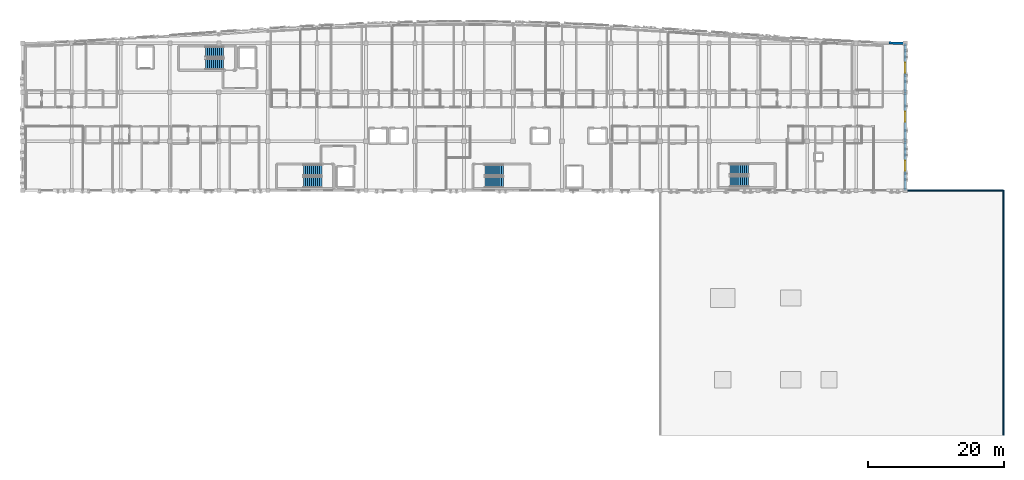
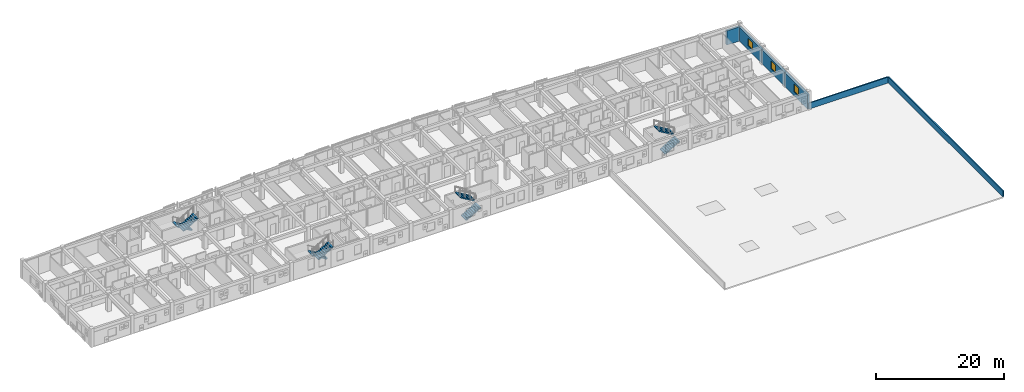
# One storey, part 46 of 50: 8 stair flights, 6 walls, 3 windows, 3 openings, 4 elements without a shape of their own.
"""IFC4 building model written with IfcOpenShell, lengths in metres."""

from ifc_helpers import new_model, si_unit, direction, frame, frame_2d, origin, place, context, subcontext, project, spatial, polyline, rectangle, outline, extrude, material, layer, layer_set, type_object, element, fill, aggregate, save


model = new_model("IFC4")

# Units and contexts
model_context = context("Model", 3, precision=1e-05, world=origin(), true_north=direction((0.0, 1.0)))
body_context = subcontext(model_context, "Body", "Model", "MODEL_VIEW")
ifc_project = project(units=[si_unit("LENGTHUNIT", "METRE"), si_unit("AREAUNIT", "SQUARE_METRE"), si_unit("VOLUMEUNIT", "CUBIC_METRE"), si_unit("PLANEANGLEUNIT", "RADIAN"), si_unit("MASSUNIT", "GRAM", prefix="KILO")], contexts=[model_context])

# Site, building, storey
site_placement = place(None, origin())
site = spatial("IfcSite", under=ifc_project, at=site_placement, CompositionType="ELEMENT")
building_placement = place(site_placement, origin())
building = spatial("IfcBuilding", under=site, at=building_placement, Name="Carrowvane Square Congress Hotel", CompositionType="ELEMENT")
storey_placement = place(building_placement, frame((0.0, 0.0, 22.800048828125)))
storey = spatial("IfcBuildingStorey", under=building, at=storey_placement, Name="L05", CompositionType="ELEMENT", Elevation=22.800048828125)

# Wall
ifc_material_1 = material(Name="Glazed terracotta rainscreen", Category="masonry")
ifc_layer_1 = layer(ifc_material_1, 0.360107421875)
ifc_layer_set_1 = layer_set([ifc_layer_1], Name="Glazed terracotta rainscreen")
wall_type_1 = type_object("IfcWallType", Name="WL-EXT-TC360", PredefinedType="STANDARD", material=ifc_layer_set_1)
wall_1_placement = place(storey_placement, frame((160.39990234375, 113.45166015625, 0.0), z_axis=(0.0, 0.0, 1.0), x_axis=(0.999767568547, -0.021559426766, 0.0)))
element("IfcWall", 1, at=wall_1_placement, inside=storey, type_object=wall_type_1, Name="L05 exterior facade wall 454", PredefinedType="STANDARD", context=body_context, shape_type="SweptSolid", body=[
    extrude(rectangle(XDim=2.400634765625, YDim=0.360107421875, at=frame_2d((1.2001953125, 0.0))), origin(), (0.0, 0.0, 1.0), 2.73486328125),
])

# Wall, opening, window
wall_2_placement = place(storey_placement, frame((162.800048828125, 113.39990234375, 0.0), z_axis=(0.0, 0.0, 1.0), x_axis=(0.0, -1.0, 0.0)))
wall_2 = element("IfcWall", 2, at=wall_2_placement, inside=storey, type_object=wall_type_1, Name="L05 exterior facade wall 455", PredefinedType="STANDARD", context=body_context, shape_type="SweptSolid", body=[
    extrude(rectangle(XDim=7.199951171875, YDim=0.360107421875, at=frame_2d((3.60009765625, 0.0))), origin(), (0.0, 0.0, 1.0), 2.68505859375),
])
opening_1_placement = place(wall_2_placement, frame((2.85009765625, 0.0, 0.75)))
opening_1 = element("IfcOpeningElement", 3, at=opening_1_placement, cuts=wall_2, Name="Opening W-15", PredefinedType="OPENING", context=body_context, shape_type="SweptSolid", body=[
    extrude(rectangle(XDim=1.5, YDim=1.5, at=frame_2d((0.75, 0.75))), frame((0.0, 0.18994140625, 0.0), z_axis=(0.0, -1.0, 0.0), x_axis=(1.0, 0.0, 0.0)), (0.0, 0.0, 1.0), 0.380126953125),
])
ifc_material_2 = material(Name="Double-glazed low-E glass", Category="glass")
window_type = type_object("IfcWindowType", Name="WIN-15", PartitioningType="SINGLE_PANEL", PredefinedType="WINDOW", material=ifc_material_2)
window_1_placement = place(opening_1_placement, origin())
window_1 = element("IfcWindow", 4, at=window_1_placement, inside=storey, type_object=window_type, Name="L05 facade window 283", OverallHeight=1.5, OverallWidth=1.5, PartitioningType="SINGLE_PANEL", PredefinedType="WINDOW", context=body_context, shape_type="SweptSolid", body=[
    extrude(rectangle(XDim=1.5, YDim=1.5, at=frame_2d((0.75, 0.75))), frame((0.0, 0.030029296875, 0.0), z_axis=(0.0, -1.0, 0.0), x_axis=(1.0, 0.0, 0.0)), (0.0, 0.0, 1.0), 0.06005859375),
])
fill(opening_1, window_1)

wall_3_placement = place(storey_placement, frame((162.800048828125, 106.199951171875, 0.0), z_axis=(0.0, 0.0, 1.0), x_axis=(0.0, -1.0, 0.0)))
wall_3 = element("IfcWall", 5, at=wall_3_placement, inside=storey, type_object=wall_type_1, Name="L05 exterior facade wall 456", PredefinedType="STANDARD", context=body_context, shape_type="SweptSolid", body=[
    extrude(rectangle(XDim=7.199951171875, YDim=0.360107421875, at=frame_2d((3.60009765625, 0.0))), origin(), (0.0, 0.0, 1.0), 2.68505859375),
])
opening_2_placement = place(wall_3_placement, frame((2.85009765625, 0.0, 0.75)))
opening_2 = element("IfcOpeningElement", 6, at=opening_2_placement, cuts=wall_3, Name="Opening W-15", PredefinedType="OPENING", context=body_context, shape_type="SweptSolid", body=[
    extrude(rectangle(XDim=1.5, YDim=1.5, at=frame_2d((0.75, 0.75))), frame((0.0, 0.18994140625, 0.0), z_axis=(0.0, -1.0, 0.0), x_axis=(1.0, 0.0, 0.0)), (0.0, 0.0, 1.0), 0.380126953125),
])
window_2_placement = place(opening_2_placement, origin())
window_2 = element("IfcWindow", 7, at=window_2_placement, inside=storey, type_object=window_type, Name="L05 facade window 284", OverallHeight=1.5, OverallWidth=1.5, PartitioningType="SINGLE_PANEL", PredefinedType="WINDOW", context=body_context, shape_type="SweptSolid", body=[
    extrude(rectangle(XDim=1.5, YDim=1.5, at=frame_2d((0.75, 0.75))), frame((0.0, 0.030029296875, 0.0), z_axis=(0.0, -1.0, 0.0), x_axis=(1.0, 0.0, 0.0)), (0.0, 0.0, 1.0), 0.06005859375),
])
fill(opening_2, window_2)

wall_4_placement = place(storey_placement, frame((162.800048828125, 99.0, 0.0), z_axis=(0.0, 0.0, 1.0), x_axis=(0.0, -1.0, 0.0)))
wall_4 = element("IfcWall", 8, at=wall_4_placement, inside=storey, type_object=wall_type_1, Name="L05 exterior facade wall 457", PredefinedType="STANDARD", context=body_context, shape_type="SweptSolid", body=[
    extrude(rectangle(XDim=7.199951171875, YDim=0.360107421875, at=frame_2d((3.60009765625, 0.0))), origin(), (0.0, 0.0, 1.0), 2.68505859375),
])
opening_3_placement = place(wall_4_placement, frame((2.85009765625, 0.0, 0.75)))
opening_3 = element("IfcOpeningElement", 9, at=opening_3_placement, cuts=wall_4, Name="Opening W-15", PredefinedType="OPENING", context=body_context, shape_type="SweptSolid", body=[
    extrude(rectangle(XDim=1.5, YDim=1.5, at=frame_2d((0.75, 0.75))), frame((0.0, 0.18994140625, 0.0), z_axis=(0.0, -1.0, 0.0), x_axis=(1.0, 0.0, 0.0)), (0.0, 0.0, 1.0), 0.380126953125),
])
window_3_placement = place(opening_3_placement, origin())
window_3 = element("IfcWindow", 10, at=window_3_placement, inside=storey, type_object=window_type, Name="L05 facade window 285", OverallHeight=1.5, OverallWidth=1.5, PartitioningType="SINGLE_PANEL", PredefinedType="WINDOW", context=body_context, shape_type="SweptSolid", body=[
    extrude(rectangle(XDim=1.5, YDim=1.5, at=frame_2d((0.75, 0.75))), frame((0.0, 0.030029296875, 0.0), z_axis=(0.0, -1.0, 0.0), x_axis=(1.0, 0.0, 0.0)), (0.0, 0.0, 1.0), 0.06005859375),
])
fill(opening_3, window_3)

# Walls
ifc_material_3 = material(Name="Glazed terracotta rainscreen", Category="masonry")
ifc_layer_2 = layer(ifc_material_3, 0.215087890625)
ifc_layer_set_2 = layer_set([ifc_layer_2], Name="Glazed terracotta rainscreen")
wall_type_2 = type_object("IfcWallType", Name="WL-PAR-215", PredefinedType="PARAPET", material=ifc_layer_set_2)
wall_5_placement = place(storey_placement, frame((162.800048828125, 91.800048828125, 0.0), z_axis=(0.0, 0.0, 1.0), x_axis=(1.0, 0.0, 0.0)))
element("IfcWall", 11, at=wall_5_placement, inside=storey, type_object=wall_type_2, Name="V3 roof parapet 1", PredefinedType="PARAPET", context=body_context, shape_type="SweptSolid", body=[
    extrude(rectangle(XDim=14.39990234375, YDim=0.215087890625, at=frame_2d((7.199951171875, 0.0))), origin(), (0.0, 0.0, 1.0), 1.14990234375),
])
wall_6_placement = place(storey_placement, frame((177.199951171875, 91.800048828125, 0.0), z_axis=(0.0, 0.0, 1.0), x_axis=(0.0, -1.0, 0.0)))
element("IfcWall", 12, at=wall_6_placement, inside=storey, type_object=wall_type_2, Name="V3 roof parapet 2", PredefinedType="PARAPET", context=body_context, shape_type="SweptSolid", body=[
    extrude(rectangle(XDim=36.0, YDim=0.215087890625, at=frame_2d((18.0, 0.0))), origin(), (0.0, 0.0, 1.0), 1.14990234375),
])

# Stair, stair flights
ifc_material_4 = material(Name="Concrete C35/45", Category="concrete")
stair_type = type_object("IfcStairType", Name="STR-DOG-02", PredefinedType="HALF_TURN_STAIR", material=ifc_material_4)
stair_1_placement = place(storey_placement, origin())
stair_1 = element("IfcStair", 13, at=stair_1_placement, inside=storey, type_object=stair_type, Name="L05 Core C1 West Hotel Firefighting Stair", PredefinedType="HALF_TURN_STAIR")
ifc_material_5 = material(Name="Concrete C35/45", Category="concrete")
stair_flight_type = type_object("IfcStairFlightType", Name="SFL-STR-02", PredefinedType="STRAIGHT", material=ifc_material_5)
stair_flight_1_placement = place(storey_placement, frame((62.719970703125, 112.110107421875, 0.0), z_axis=(0.0, 0.0, 1.0), x_axis=(-1.0, 0.0, 0.0)))
stair_flight_1 = element("IfcStairFlight", 14, at=stair_flight_1_placement, type_object=stair_flight_type, Name="ST1 flight 1", NumberOfRisers=10, NumberOfTreads=9, PredefinedType="STRAIGHT", RiserHeight=0.18, TreadLength=0.3, context=body_context, shape_type="SweptSolid", body=[
    extrude(outline(polyline([(0.0, 0.0), (0.0, 0.179931640625), (0.300048828125, 0.179931640625), (0.300048828125, 0.360107421875), (0.60009765625, 0.360107421875), (0.60009765625, 0.5400390625), (0.89990234375, 0.5400390625), (0.89990234375, 0.719970703125), (1.199951171875, 0.719970703125), (1.199951171875, 0.89990234375), (1.5, 0.89990234375), (1.5, 1.080078125), (1.800048828125, 1.080078125), (1.800048828125, 1.260009765625), (2.10009765625, 1.260009765625), (2.10009765625, 1.43994140625), (2.39990234375, 1.43994140625), (2.39990234375, 1.6201171875), (2.699951171875, 1.6201171875), (2.699951171875, 1.800048828125), (2.699951171875, 1.445068359375), (0.291259765625, 0.0), (0.0, 0.0)])), frame((0.0, 0.7900390625, 0.0), z_axis=(0.0, -1.0, 0.0), x_axis=(1.0, 0.0, 0.0)), (0.0, 0.0, 1.0), 1.580078125),
])
stair_flight_2_placement = place(storey_placement, frame((60.02001953125, 110.330078125, 1.800048828125), z_axis=(0.0, 0.0, 1.0), x_axis=(1.0, 0.0, 0.0)))
stair_flight_2 = element("IfcStairFlight", 15, at=stair_flight_2_placement, type_object=stair_flight_type, Name="ST1 flight 2", NumberOfRisers=10, NumberOfTreads=9, PredefinedType="STRAIGHT", RiserHeight=0.18, TreadLength=0.3, context=body_context, shape_type="SweptSolid", body=[
    extrude(outline(polyline([(0.0, 0.0), (0.0, 0.179931640625), (0.300048828125, 0.179931640625), (0.300048828125, 0.360107421875), (0.60009765625, 0.360107421875), (0.60009765625, 0.5400390625), (0.89990234375, 0.5400390625), (0.89990234375, 0.719970703125), (1.199951171875, 0.719970703125), (1.199951171875, 0.89990234375), (1.5, 0.89990234375), (1.5, 1.080078125), (1.800048828125, 1.080078125), (1.800048828125, 1.260009765625), (2.10009765625, 1.260009765625), (2.10009765625, 1.43994140625), (2.39990234375, 1.43994140625), (2.39990234375, 1.6201171875), (2.699951171875, 1.6201171875), (2.699951171875, 1.800048828125), (2.699951171875, 1.445068359375), (0.291259765625, 0.0), (0.0, 0.0)])), frame((0.0, 0.7900390625, 0.0), z_axis=(0.0, -1.0, 0.0), x_axis=(1.0, 0.0, 0.0)), (0.0, 0.0, 1.0), 1.580078125),
])
aggregate(stair_1, [stair_flight_1, stair_flight_2])

stair_2_placement = place(storey_placement, origin())
stair_2 = element("IfcStair", 16, at=stair_2_placement, inside=storey, type_object=stair_type, Name="L05 Core C2 Central Hotel Firefighting Stair", PredefinedType="HALF_TURN_STAIR")
stair_flight_3_placement = place(storey_placement, frame((77.1201171875, 94.77001953125, 0.0), z_axis=(0.0, 0.0, 1.0), x_axis=(-1.0, 0.0, 0.0)))
stair_flight_3 = element("IfcStairFlight", 17, at=stair_flight_3_placement, type_object=stair_flight_type, Name="ST2 flight 1", NumberOfRisers=10, NumberOfTreads=9, PredefinedType="STRAIGHT", RiserHeight=0.18, TreadLength=0.3, context=body_context, shape_type="SweptSolid", body=[
    extrude(outline(polyline([(0.0, 0.0), (0.0, 0.179931640625), (0.300048828125, 0.179931640625), (0.300048828125, 0.360107421875), (0.60009765625, 0.360107421875), (0.60009765625, 0.5400390625), (0.89990234375, 0.5400390625), (0.89990234375, 0.719970703125), (1.199951171875, 0.719970703125), (1.199951171875, 0.89990234375), (1.5, 0.89990234375), (1.5, 1.080078125), (1.800048828125, 1.080078125), (1.800048828125, 1.260009765625), (2.10009765625, 1.260009765625), (2.10009765625, 1.43994140625), (2.39990234375, 1.43994140625), (2.39990234375, 1.6201171875), (2.699951171875, 1.6201171875), (2.699951171875, 1.800048828125), (2.699951171875, 1.445068359375), (0.291259765625, 0.0), (0.0, 0.0)])), frame((0.0, 0.7900390625, 0.0), z_axis=(0.0, -1.0, 0.0), x_axis=(1.0, 0.0, 0.0)), (0.0, 0.0, 1.0), 1.580078125),
])
stair_flight_4_placement = place(storey_placement, frame((74.419921875, 92.989990234375, 1.800048828125), z_axis=(0.0, 0.0, 1.0), x_axis=(1.0, 0.0, 0.0)))
stair_flight_4 = element("IfcStairFlight", 18, at=stair_flight_4_placement, type_object=stair_flight_type, Name="ST2 flight 2", NumberOfRisers=10, NumberOfTreads=9, PredefinedType="STRAIGHT", RiserHeight=0.18, TreadLength=0.3, context=body_context, shape_type="SweptSolid", body=[
    extrude(outline(polyline([(0.0, 0.0), (0.0, 0.179931640625), (0.300048828125, 0.179931640625), (0.300048828125, 0.360107421875), (0.60009765625, 0.360107421875), (0.60009765625, 0.5400390625), (0.89990234375, 0.5400390625), (0.89990234375, 0.719970703125), (1.199951171875, 0.719970703125), (1.199951171875, 0.89990234375), (1.5, 0.89990234375), (1.5, 1.080078125), (1.800048828125, 1.080078125), (1.800048828125, 1.260009765625), (2.10009765625, 1.260009765625), (2.10009765625, 1.43994140625), (2.39990234375, 1.43994140625), (2.39990234375, 1.6201171875), (2.699951171875, 1.6201171875), (2.699951171875, 1.800048828125), (2.699951171875, 1.445068359375), (0.291259765625, 0.0), (0.0, 0.0)])), frame((0.0, 0.7900390625, 0.0), z_axis=(0.0, -1.0, 0.0), x_axis=(1.0, 0.0, 0.0)), (0.0, 0.0, 1.0), 1.580078125),
])
aggregate(stair_2, [stair_flight_3, stair_flight_4])

stair_3_placement = place(storey_placement, origin())
stair_3 = element("IfcStair", 19, at=stair_3_placement, inside=storey, type_object=stair_type, Name="L05 Core C3 East Hotel Escape Stair", PredefinedType="HALF_TURN_STAIR")
stair_flight_5_placement = place(storey_placement, frame((101.080078125, 92.989990234375, 0.0), z_axis=(0.0, 0.0, 1.0), x_axis=(1.0, 0.0, 0.0)))
stair_flight_5 = element("IfcStairFlight", 20, at=stair_flight_5_placement, type_object=stair_flight_type, Name="ST3 flight 1", NumberOfRisers=10, NumberOfTreads=9, PredefinedType="STRAIGHT", RiserHeight=0.18, TreadLength=0.3, context=body_context, shape_type="SweptSolid", body=[
    extrude(outline(polyline([(0.0, 0.0), (0.0, 0.179931640625), (0.300048828125, 0.179931640625), (0.300048828125, 0.360107421875), (0.60009765625, 0.360107421875), (0.60009765625, 0.5400390625), (0.89990234375, 0.5400390625), (0.89990234375, 0.719970703125), (1.199951171875, 0.719970703125), (1.199951171875, 0.89990234375), (1.5, 0.89990234375), (1.5, 1.080078125), (1.800048828125, 1.080078125), (1.800048828125, 1.260009765625), (2.10009765625, 1.260009765625), (2.10009765625, 1.43994140625), (2.39990234375, 1.43994140625), (2.39990234375, 1.6201171875), (2.699951171875, 1.6201171875), (2.699951171875, 1.800048828125), (2.699951171875, 1.445068359375), (0.291259765625, 0.0), (0.0, 0.0)])), frame((0.0, 0.7900390625, 0.0), z_axis=(0.0, -1.0, 0.0), x_axis=(1.0, 0.0, 0.0)), (0.0, 0.0, 1.0), 1.580078125),
])
stair_flight_6_placement = place(storey_placement, frame((103.780029296875, 94.77001953125, 1.800048828125), z_axis=(0.0, 0.0, 1.0), x_axis=(-1.0, 0.0, 0.0)))
stair_flight_6 = element("IfcStairFlight", 21, at=stair_flight_6_placement, type_object=stair_flight_type, Name="ST3 flight 2", NumberOfRisers=10, NumberOfTreads=9, PredefinedType="STRAIGHT", RiserHeight=0.18, TreadLength=0.3, context=body_context, shape_type="SweptSolid", body=[
    extrude(outline(polyline([(0.0, 0.0), (0.0, 0.179931640625), (0.300048828125, 0.179931640625), (0.300048828125, 0.360107421875), (0.60009765625, 0.360107421875), (0.60009765625, 0.5400390625), (0.89990234375, 0.5400390625), (0.89990234375, 0.719970703125), (1.199951171875, 0.719970703125), (1.199951171875, 0.89990234375), (1.5, 0.89990234375), (1.5, 1.080078125), (1.800048828125, 1.080078125), (1.800048828125, 1.260009765625), (2.10009765625, 1.260009765625), (2.10009765625, 1.43994140625), (2.39990234375, 1.43994140625), (2.39990234375, 1.6201171875), (2.699951171875, 1.6201171875), (2.699951171875, 1.800048828125), (2.699951171875, 1.445068359375), (0.291259765625, 0.0), (0.0, 0.0)])), frame((0.0, 0.7900390625, 0.0), z_axis=(0.0, -1.0, 0.0), x_axis=(1.0, 0.0, 0.0)), (0.0, 0.0, 1.0), 1.580078125),
])
aggregate(stair_3, [stair_flight_5, stair_flight_6])

stair_4_placement = place(storey_placement, origin())
stair_4 = element("IfcStair", 22, at=stair_4_placement, inside=storey, type_object=stair_type, Name="L05 East Hotel Wing Escape Stair", PredefinedType="HALF_TURN_STAIR")
stair_flight_7_placement = place(storey_placement, frame((137.080078125, 93.090087890625, 0.0), z_axis=(0.0, 0.0, 1.0), x_axis=(1.0, 0.0, 0.0)))
stair_flight_7 = element("IfcStairFlight", 23, at=stair_flight_7_placement, type_object=stair_flight_type, Name="ST12 flight 1", NumberOfRisers=10, NumberOfTreads=9, PredefinedType="STRAIGHT", RiserHeight=0.18, TreadLength=0.3, context=body_context, shape_type="SweptSolid", body=[
    extrude(outline(polyline([(0.0, 0.0), (0.0, 0.179931640625), (0.300048828125, 0.179931640625), (0.300048828125, 0.360107421875), (0.60009765625, 0.360107421875), (0.60009765625, 0.5400390625), (0.89990234375, 0.5400390625), (0.89990234375, 0.719970703125), (1.199951171875, 0.719970703125), (1.199951171875, 0.89990234375), (1.5, 0.89990234375), (1.5, 1.080078125), (1.800048828125, 1.080078125), (1.800048828125, 1.260009765625), (2.10009765625, 1.260009765625), (2.10009765625, 1.43994140625), (2.39990234375, 1.43994140625), (2.39990234375, 1.6201171875), (2.699951171875, 1.6201171875), (2.699951171875, 1.800048828125), (2.699951171875, 1.445068359375), (0.291259765625, 0.0), (0.0, 0.0)])), frame((0.0, 0.7900390625, 0.0), z_axis=(0.0, -1.0, 0.0), x_axis=(1.0, 0.0, 0.0)), (0.0, 0.0, 1.0), 1.580078125),
])
stair_flight_8_placement = place(storey_placement, frame((139.780029296875, 94.8701171875, 1.800048828125), z_axis=(0.0, 0.0, 1.0), x_axis=(-1.0, 0.0, 0.0)))
stair_flight_8 = element("IfcStairFlight", 24, at=stair_flight_8_placement, type_object=stair_flight_type, Name="ST12 flight 2", NumberOfRisers=10, NumberOfTreads=9, PredefinedType="STRAIGHT", RiserHeight=0.18, TreadLength=0.3, context=body_context, shape_type="SweptSolid", body=[
    extrude(outline(polyline([(0.0, 0.0), (0.0, 0.179931640625), (0.300048828125, 0.179931640625), (0.300048828125, 0.360107421875), (0.60009765625, 0.360107421875), (0.60009765625, 0.5400390625), (0.89990234375, 0.5400390625), (0.89990234375, 0.719970703125), (1.199951171875, 0.719970703125), (1.199951171875, 0.89990234375), (1.5, 0.89990234375), (1.5, 1.080078125), (1.800048828125, 1.080078125), (1.800048828125, 1.260009765625), (2.10009765625, 1.260009765625), (2.10009765625, 1.43994140625), (2.39990234375, 1.43994140625), (2.39990234375, 1.6201171875), (2.699951171875, 1.6201171875), (2.699951171875, 1.800048828125), (2.699951171875, 1.445068359375), (0.291259765625, 0.0), (0.0, 0.0)])), frame((0.0, 0.7900390625, 0.0), z_axis=(0.0, -1.0, 0.0), x_axis=(1.0, 0.0, 0.0)), (0.0, 0.0, 1.0), 1.580078125),
])
aggregate(stair_4, [stair_flight_7, stair_flight_8])

save(model, "model.ifc")
